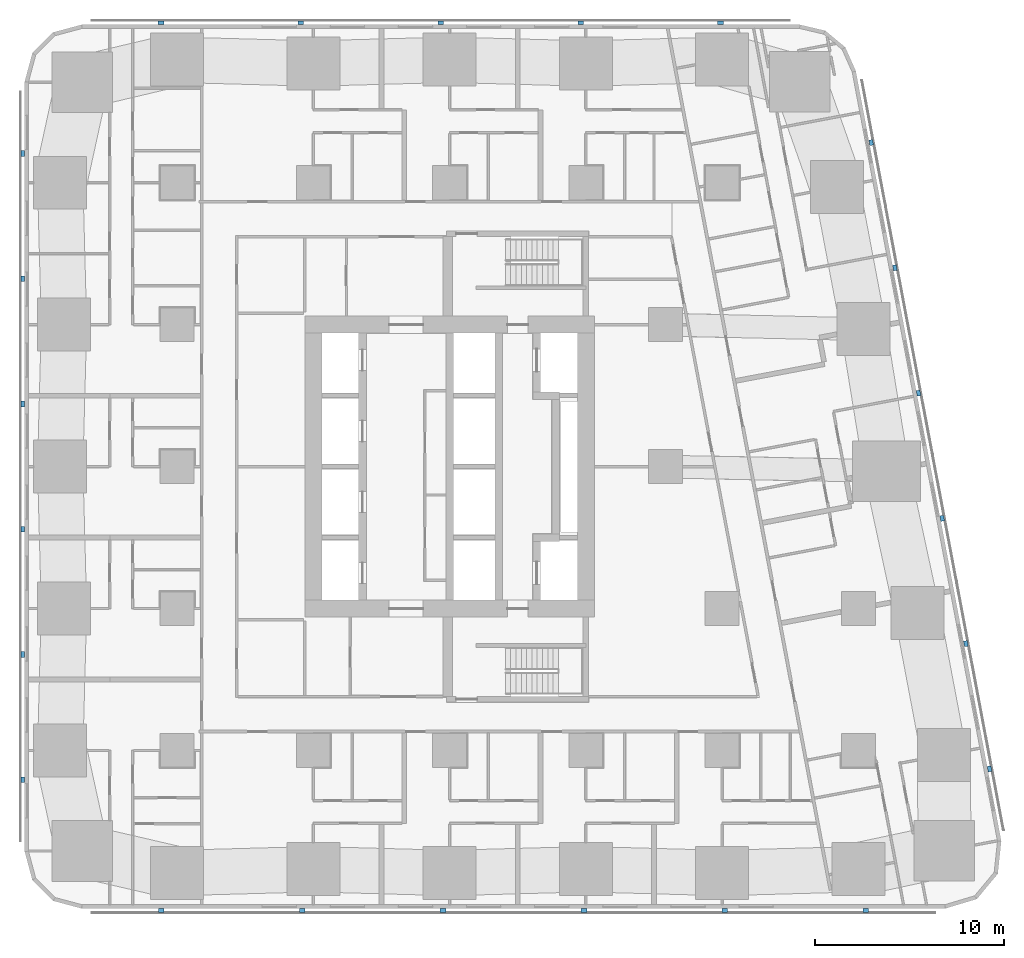
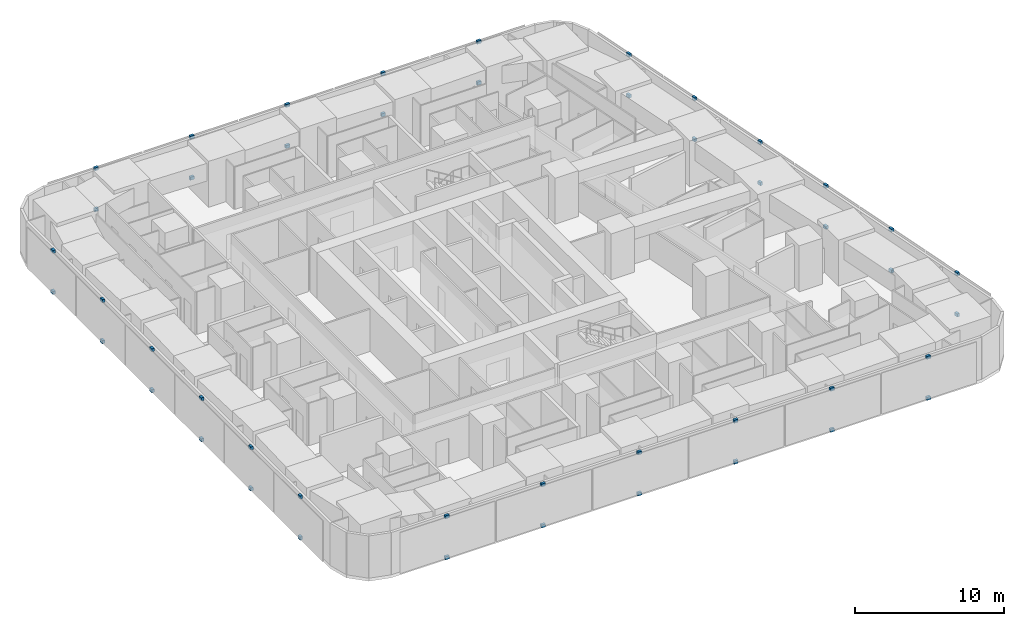
# One storey, part 11 of 15: 46 discrete accessories.
"""IFC4 building model written with IfcOpenShell, lengths in metres."""

import ifcopenshell
import ifcopenshell.guid

model = None  # the IFC model being written
_history = None  # IfcOwnerHistory: only IFC2X3 demands one
_inside = {}  # id of a spatial element -> (the spatial element, [elements in it])
_under = {}  # id of a project, library or spatial element -> (it, [spatial elements below it])
_declared = {}  # id of a project -> (the project, [libraries it declares])
_typed = {}  # id of a type object -> (the type object, [elements of that type])
_made_of = {}  # id of a material, layer set ... -> (it, [elements and type objects made of it])


def new_model(schema):
    """Start an empty IFC model of exactly this schema.

    Asked for "IFC4X3", IfcOpenShell would pick the latest addendum, in which some entities
    have other attributes; the version numbers below select the first issue.
    IFC2X3 requires an IfcOwnerHistory on every rooted entity: one is made here for all.
    """
    global model, _history
    if schema == "IFC4X3":
        model = ifcopenshell.file(schema_version=(4, 3, 0, 0))
    else:
        model = ifcopenshell.file(schema=schema)
    _inside.clear()
    _under.clear()
    _declared.clear()
    _typed.clear()
    _made_of.clear()
    _history = None
    if model.schema == "IFC2X3":
        org = make("IfcOrganization", Name="unknown")
        user = make(
            "IfcPersonAndOrganization",
            ThePerson=make("IfcPerson", FamilyName="unknown"),
            TheOrganization=org,
        )
        app = make(
            "IfcApplication",
            ApplicationDeveloper=org,
            Version="unknown",
            ApplicationFullName="unknown",
            ApplicationIdentifier="unknown",
        )
        _history = make(
            "IfcOwnerHistory",
            OwningUser=user,
            OwningApplication=app,
            ChangeAction="ADDED",
            CreationDate=0,
        )
    return model


def make(cls, **values):
    """One entity of the class cls with the attributes given. An attribute that is None is left unset."""
    return model.create_entity(
        cls, **{name: value for name, value in values.items() if value is not None}
    )


def rooted(cls, **values):
    """An entity with a GlobalId (a new one), such as an element, a storey or a relation."""
    return make(cls, GlobalId=ifcopenshell.guid.new(), OwnerHistory=_history, **values)


def si_unit(unit_type, name, prefix=None):
    """IfcSIUnit, for example si_unit("LENGTHUNIT", "METRE", prefix="MILLI")."""
    return make("IfcSIUnit", UnitType=unit_type, Prefix=prefix, Name=name)


def assignment(units):
    """IfcUnitAssignment: the units of a project."""
    return None if units is None else make("IfcUnitAssignment", Units=units)


def point(xyz):
    """IfcCartesianPoint."""
    return None if xyz is None else make("IfcCartesianPoint", Coordinates=xyz)


def direction(xyz):
    """IfcDirection."""
    return None if xyz is None else make("IfcDirection", DirectionRatios=xyz)


def frame(location, z_axis=None, x_axis=None):
    """IfcAxis2Placement3D, a coordinate frame: its origin and axes. An axis left out is left unset."""
    return make(
        "IfcAxis2Placement3D",
        Location=point(location),
        Axis=direction(z_axis),
        RefDirection=direction(x_axis),
    )


def frame_2d(location, x_axis=None):
    """IfcAxis2Placement2D, a coordinate frame in the plane: its origin and x axis."""
    return make(
        "IfcAxis2Placement2D", Location=point(location), RefDirection=direction(x_axis)
    )


def origin():
    """The frame at (0, 0, 0) with its axes left unset."""
    return frame((0.0, 0.0, 0.0))


def origin_2d():
    """The frame at (0, 0) in the plane with its x axis left unset."""
    return frame_2d((0.0, 0.0))


def place(relative_to, where):
    """IfcLocalPlacement: puts the frame where relative to a parent placement (None: the world)."""
    return make(
        "IfcLocalPlacement", PlacementRelTo=relative_to, RelativePlacement=where
    )


def context(
    kind, dimensions, precision=None, world=None, true_north=None, identifier=None
):
    """IfcGeometricRepresentationContext, for example the 3D "Model" context."""
    return make(
        "IfcGeometricRepresentationContext",
        ContextIdentifier=identifier,
        ContextType=kind,
        CoordinateSpaceDimension=dimensions,
        Precision=precision,
        WorldCoordinateSystem=world,
        TrueNorth=true_north,
    )


def subcontext(parent, identifier, kind, view, scale=None):
    """IfcGeometricRepresentationSubContext, for example "Body" below "Model"."""
    return make(
        "IfcGeometricRepresentationSubContext",
        ContextIdentifier=identifier,
        ContextType=kind,
        ParentContext=parent,
        TargetScale=scale,
        TargetView=view,
    )


def project(units=None, contexts=None):
    """IfcProject with its units and contexts."""
    return rooted(
        "IfcProject",
        Name="project",
        RepresentationContexts=contexts,
        UnitsInContext=assignment(units),
    )


def spatial(cls, under=None, at=None, **own):
    """A site, building, storey or space (cls), placed at a placement, below another one or the project."""
    s = rooted(cls, ObjectPlacement=at, **own)
    if under is not None:
        _under.setdefault(under.id(), (under, []))[1].append(s)
    return s


def profile(cls, at=None, kind="AREA", **sizes):
    """A parametric profile (cls). Its sizes go by their IFC names, for example OverallWidth=200.0."""
    return make(cls, ProfileType=kind, Position=at, **sizes)


def rectangle(**sizes):
    """IfcRectangleProfileDef."""
    return profile("IfcRectangleProfileDef", **sizes)


def extrude(swept, where, along, depth):
    """IfcExtrudedAreaSolid: the profile swept, set in the frame where, extruded along a direction by depth."""
    return make(
        "IfcExtrudedAreaSolid",
        SweptArea=swept,
        Position=where,
        ExtrudedDirection=direction(along),
        Depth=depth,
    )


def shape(context_of_items, identifier, shape_type, items):
    """IfcShapeRepresentation: the items that make up one representation, for example the "Body"."""
    return make(
        "IfcShapeRepresentation",
        ContextOfItems=context_of_items,
        RepresentationIdentifier=identifier,
        RepresentationType=shape_type,
        Items=items,
    )


def material(Name=None, Category=None):
    """IfcMaterial."""
    return make("IfcMaterial", Name=Name, Category=Category)


def made_of(thing, what):
    """Note that an element or type object is made of a material, layer set ...; save() writes the relation."""
    if what is not None:
        _made_of.setdefault(what.id(), (what, []))[1].append(thing)
    return thing


def type_object(cls, material=None, **own):
    """A type object (cls), such as IfcWallType, which elements share."""
    return made_of(rooted(cls, **own), material)


def element(
    cls,
    number,
    at=None,
    inside=None,
    cuts=None,
    type_object=None,
    material=None,
    context=None,
    identifier="Body",
    shape_type=None,
    held_by="IfcProductDefinitionShape",
    body=None,
    shapes=None,
    **own,
):
    """One element of the class cls, such as IfcWall. Its Tag is "e" and its number.

    at: its placement. inside: the storey or other place that contains it. cuts: it is an
    opening in that element (IfcRelVoidsElement). A single representation is given by context,
    identifier, shape_type and body (its items); several are given by shapes. held_by: the class
    of the entity that holds the representations. save() writes the other relations.
    """
    e = rooted(cls, Tag="e%d" % number, ObjectPlacement=at, **own)
    if body is not None:
        shapes = [shape(context, identifier, shape_type, body)]
    if shapes is not None:
        e.Representation = make(held_by, Representations=shapes)
    if inside is not None:
        _inside.setdefault(inside.id(), (inside, []))[1].append(e)
    if cuts is not None:
        rooted(
            "IfcRelVoidsElement", RelatingBuildingElement=cuts, RelatedOpeningElement=e
        )
    if type_object is not None:
        _typed.setdefault(type_object.id(), (type_object, []))[1].append(e)
    return made_of(e, material)


def aggregate(whole, parts):
    """IfcRelAggregates: a whole, such as a stair, and the parts it consists of."""
    return rooted("IfcRelAggregates", RelatingObject=whole, RelatedObjects=parts)


def save(model, path):
    """Write the relations noted so far, then the file.

    IfcRelAggregates (storeys below a building ...), IfcRelContainedInSpatialStructure (elements
    in a storey), IfcRelDefinesByType, IfcRelAssociatesMaterial and IfcRelDeclares: one each for
    every whole, place, type object, material and project.
    """
    for whole, parts in _under.values():
        aggregate(whole, parts)
    for where, things in _inside.values():
        rooted(
            "IfcRelContainedInSpatialStructure",
            RelatedElements=things,
            RelatingStructure=where,
        )
    for kind, things in _typed.values():
        rooted("IfcRelDefinesByType", RelatedObjects=things, RelatingType=kind)
    for what, things in _made_of.values():
        rooted("IfcRelAssociatesMaterial", RelatedObjects=things, RelatingMaterial=what)
    for by, libraries in _declared.values():
        rooted("IfcRelDeclares", RelatingContext=by, RelatedDefinitions=libraries)
    model.write(path)


model = new_model("IFC4")

# Units and contexts
model_context = context("Model", 3, precision=1e-05, world=origin(), true_north=direction((0.0, 1.0)))
body_context = subcontext(model_context, "Body", "Model", "MODEL_VIEW")
ifc_project = project(units=[si_unit("LENGTHUNIT", "METRE"), si_unit("AREAUNIT", "SQUARE_METRE"), si_unit("VOLUMEUNIT", "CUBIC_METRE"), si_unit("PLANEANGLEUNIT", "RADIAN"), si_unit("MASSUNIT", "GRAM", prefix="KILO")], contexts=[model_context])

# Site, building, storey
site_placement = place(None, origin())
site = spatial("IfcSite", under=ifc_project, at=site_placement, CompositionType="ELEMENT")
building_placement = place(site_placement, origin())
building = spatial("IfcBuilding", under=site, at=building_placement, Name="Sheger Commons Tower", CompositionType="ELEMENT")
storey_placement = place(building_placement, frame((0.0, 0.0, 68.75)))
storey = spatial("IfcBuildingStorey", under=building, at=storey_placement, Name="L17", CompositionType="ELEMENT", Elevation=68.75)

# Discrete accessories
ifc_material = material(Name="Black painted steel bracket", Category="steel")
discrete_accessory_type = type_object("IfcDiscreteAccessoryType", Name="SCREEN BRACKET 300x200x250", PredefinedType="BRACKET", material=ifc_material)
for number, where, z_axis, x_axis, name in (
    (1, (6.37109375, -0.949951171875, -0.10009765625), (0.0, 0.0, 1.0), (1.0, 0.0, 0.0), "Solar screen foot bracket"),
    (2, (6.37109375, -0.949951171875, 3.25), (0.0, 0.0, 1.0), (1.0, 0.0, 0.0), "Solar screen head bracket"),
    (3, (13.81396484375, -0.949951171875, -0.10009765625), (0.0, 0.0, 1.0), (1.0, 0.0, 0.0), "Solar screen foot bracket"),
    (4, (13.81396484375, -0.949951171875, 3.25), (0.0, 0.0, 1.0), (1.0, 0.0, 0.0), "Solar screen head bracket"),
    (5, (21.257080078125, -0.949951171875, -0.10009765625), (0.0, 0.0, 1.0), (1.0, 0.0, 0.0), "Solar screen foot bracket"),
    (6, (21.257080078125, -0.949951171875, 3.25), (0.0, 0.0, 1.0), (1.0, 0.0, 0.0), "Solar screen head bracket"),
    (7, (28.698974609375, -0.949951171875, -0.10009765625), (0.0, 0.0, 1.0), (1.0, 0.0, 0.0), "Solar screen foot bracket"),
    (8, (28.698974609375, -0.949951171875, 3.25), (0.0, 0.0, 1.0), (1.0, 0.0, 0.0), "Solar screen head bracket"),
    (9, (36.14208984375, -0.949951171875, -0.10009765625), (0.0, 0.0, 1.0), (1.0, 0.0, 0.0), "Solar screen foot bracket"),
    (10, (36.14208984375, -0.949951171875, 3.25), (0.0, 0.0, 1.0), (1.0, 0.0, 0.0), "Solar screen head bracket"),
    (11, (43.5849609375, -0.949951171875, -0.10009765625), (0.0, 0.0, 1.0), (1.0, 0.0, 0.0), "Solar screen foot bracket"),
    (12, (43.5849609375, -0.949951171875, 3.25), (0.0, 0.0, 1.0), (1.0, 0.0, 0.0), "Solar screen head bracket"),
    (13, (50.134033203125, 6.527099609375, -0.10009765625), (0.0, 0.0, 1.0), (-0.185615165645, 0.982622516678, 0.0), "Solar screen foot bracket"),
    (14, (50.134033203125, 6.527099609375, 3.25), (0.0, 0.0, 1.0), (-0.185615165645, 0.982622516678, 0.0), "Solar screen head bracket"),
    (15, (48.884033203125, 13.14599609375, -0.10009765625), (0.0, 0.0, 1.0), (-0.185615165645, 0.982622516678, 0.0), "Solar screen foot bracket"),
    (16, (48.884033203125, 13.14599609375, 3.25), (0.0, 0.0, 1.0), (-0.185615165645, 0.982622516678, 0.0), "Solar screen head bracket"),
    (17, (47.633056640625, 19.76611328125, -0.10009765625), (0.0, 0.0, 1.0), (-0.185615165645, 0.982622516678, 0.0), "Solar screen foot bracket"),
    (18, (47.633056640625, 19.76611328125, 3.25), (0.0, 0.0, 1.0), (-0.185615165645, 0.982622516678, 0.0), "Solar screen head bracket"),
    (19, (46.383056640625, 26.385009765625, -0.10009765625), (0.0, 0.0, 1.0), (-0.185615165645, 0.982622516678, 0.0), "Solar screen foot bracket"),
    (20, (46.383056640625, 26.385009765625, 3.25), (0.0, 0.0, 1.0), (-0.185615165645, 0.982622516678, 0.0), "Solar screen head bracket"),
    (21, (45.133056640625, 33.0048828125, -0.10009765625), (0.0, 0.0, 1.0), (-0.185615165645, 0.982622516678, 0.0), "Solar screen foot bracket"),
    (22, (45.133056640625, 33.0048828125, 3.25), (0.0, 0.0, 1.0), (-0.185615165645, 0.982622516678, 0.0), "Solar screen head bracket"),
    (23, (43.882080078125, 39.6240234375, -0.10009765625), (0.0, 0.0, 1.0), (-0.185615165645, 0.982622516678, 0.0), "Solar screen foot bracket"),
    (24, (43.882080078125, 39.6240234375, 3.25), (0.0, 0.0, 1.0), (-0.185615165645, 0.982622516678, 0.0), "Solar screen head bracket"),
    (25, (35.9208984375, 45.949951171875, -0.10009765625), (0.0, 0.0, 1.0), (-1.0, 0.0, 0.0), "Solar screen foot bracket"),
    (26, (35.9208984375, 45.949951171875, 3.25), (0.0, 0.0, 1.0), (-1.0, 0.0, 0.0), "Solar screen head bracket"),
    (27, (28.528076171875, 45.949951171875, -0.10009765625), (0.0, 0.0, 1.0), (-1.0, 0.0, 0.0), "Solar screen foot bracket"),
    (28, (28.528076171875, 45.949951171875, 3.25), (0.0, 0.0, 1.0), (-1.0, 0.0, 0.0), "Solar screen head bracket"),
    (29, (21.134033203125, 45.949951171875, -0.10009765625), (0.0, 0.0, 1.0), (-1.0, 0.0, 0.0), "Solar screen foot bracket"),
    (30, (21.134033203125, 45.949951171875, 3.25), (0.0, 0.0, 1.0), (-1.0, 0.0, 0.0), "Solar screen head bracket"),
    (31, (13.739990234375, 45.949951171875, -0.10009765625), (0.0, 0.0, 1.0), (-1.0, 0.0, 0.0), "Solar screen foot bracket"),
    (32, (13.739990234375, 45.949951171875, 3.25), (0.0, 0.0, 1.0), (-1.0, 0.0, 0.0), "Solar screen head bracket"),
    (33, (6.346923828125, 45.949951171875, -0.10009765625), (0.0, 0.0, 1.0), (-1.0, 0.0, 0.0), "Solar screen foot bracket"),
    (34, (6.346923828125, 45.949951171875, 3.25), (0.0, 0.0, 1.0), (-1.0, 0.0, 0.0), "Solar screen head bracket"),
    (35, (-0.949951171875, 39.0419921875, -0.10009765625), (0.0, 0.0, 1.0), (0.0, -1.0, 0.0), "Solar screen foot bracket"),
    (36, (-0.949951171875, 39.0419921875, 3.25), (0.0, 0.0, 1.0), (0.0, -1.0, 0.0), "Solar screen head bracket"),
    (37, (-0.949951171875, 32.425048828125, -0.10009765625), (0.0, 0.0, 1.0), (0.0, -1.0, 0.0), "Solar screen foot bracket"),
    (38, (-0.949951171875, 32.425048828125, 3.25), (0.0, 0.0, 1.0), (0.0, -1.0, 0.0), "Solar screen head bracket"),
    (39, (-0.949951171875, 25.80810546875, -0.10009765625), (0.0, 0.0, 1.0), (0.0, -1.0, 0.0), "Solar screen foot bracket"),
    (40, (-0.949951171875, 25.80810546875, 3.25), (0.0, 0.0, 1.0), (0.0, -1.0, 0.0), "Solar screen head bracket"),
    (41, (-0.949951171875, 19.19189453125, -0.10009765625), (0.0, 0.0, 1.0), (0.0, -1.0, 0.0), "Solar screen foot bracket"),
    (42, (-0.949951171875, 19.19189453125, 3.25), (0.0, 0.0, 1.0), (0.0, -1.0, 0.0), "Solar screen head bracket"),
    (43, (-0.949951171875, 12.574951171875, -0.10009765625), (0.0, 0.0, 1.0), (0.0, -1.0, 0.0), "Solar screen foot bracket"),
    (44, (-0.949951171875, 12.574951171875, 3.25), (0.0, 0.0, 1.0), (0.0, -1.0, 0.0), "Solar screen head bracket"),
    (45, (-0.949951171875, 5.9580078125, -0.10009765625), (0.0, 0.0, 1.0), (0.0, -1.0, 0.0), "Solar screen foot bracket"),
    (46, (-0.949951171875, 5.9580078125, 3.25), (0.0, 0.0, 1.0), (0.0, -1.0, 0.0), "Solar screen head bracket"),
):
    element("IfcDiscreteAccessory", number, at=place(storey_placement, frame(where, z_axis=z_axis, x_axis=x_axis)), inside=storey, type_object=discrete_accessory_type, Name=name, PredefinedType="BRACKET", context=body_context, shape_type="SweptSolid", body=[
        extrude(rectangle(XDim=0.300048828125, YDim=0.199951171875, at=origin_2d()), origin(), (0.0, 0.0, 1.0), 0.25),
    ])

save(model, "model.ifc")
